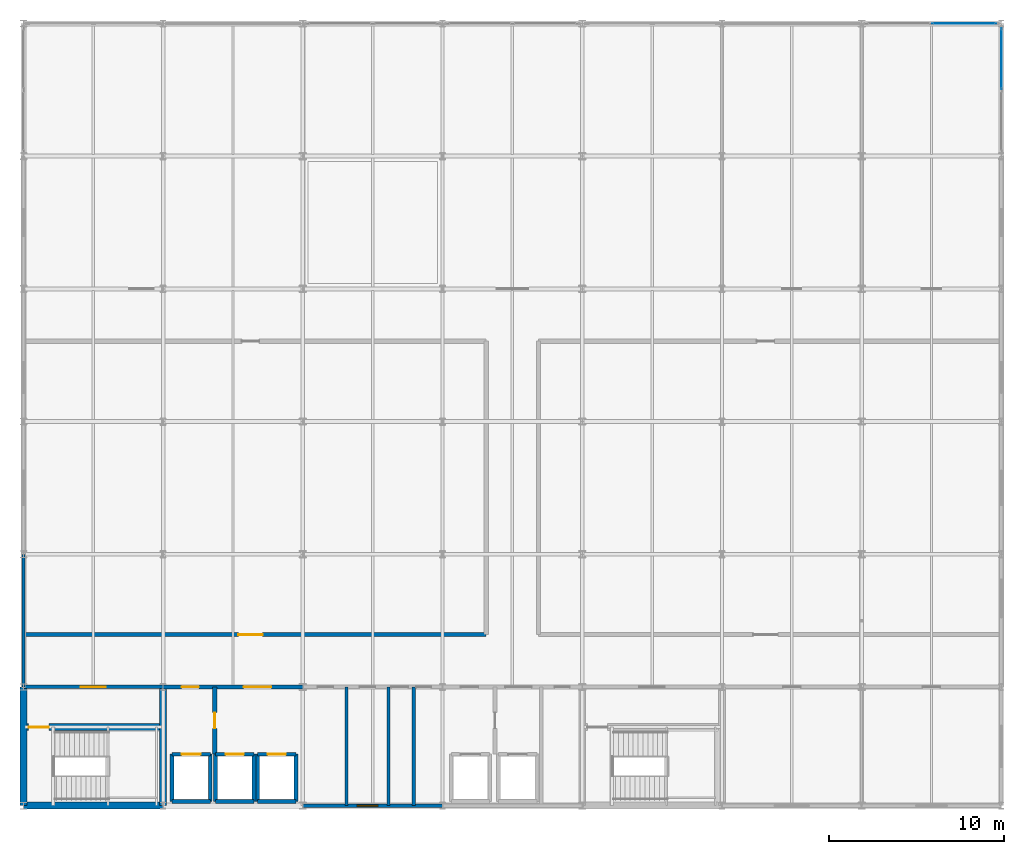
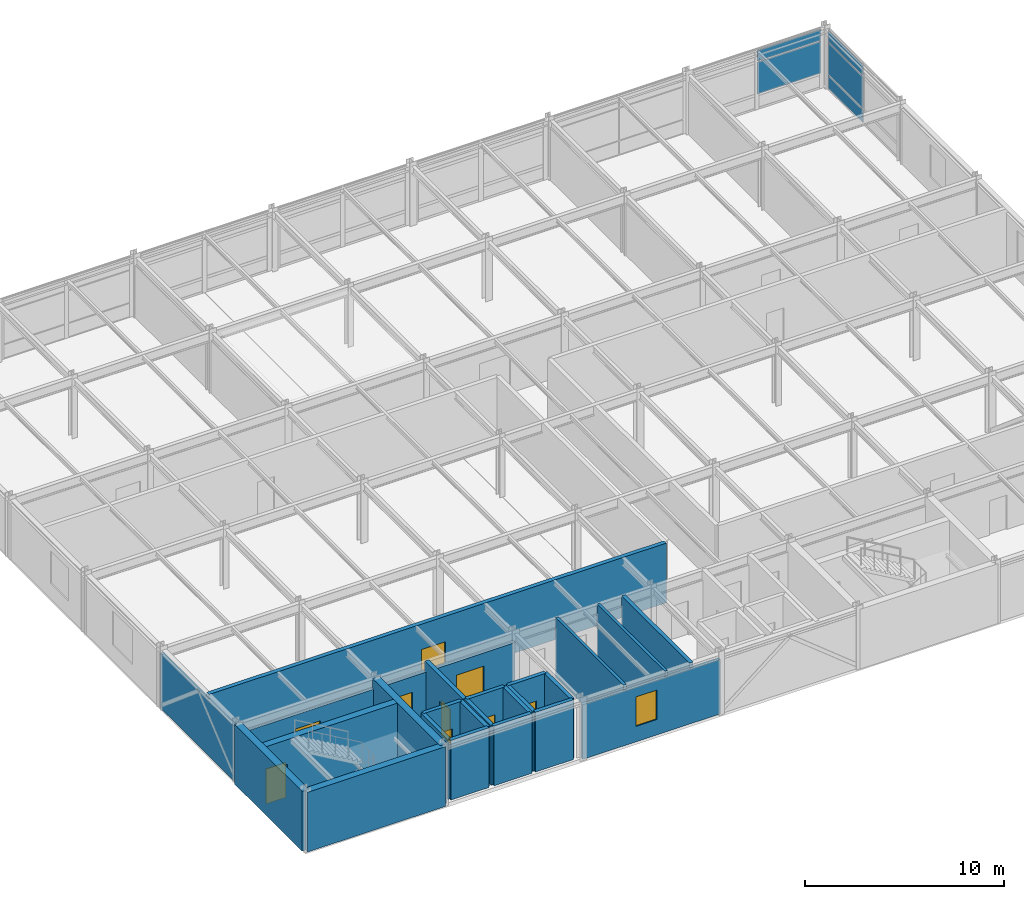
# One storey, part 11 of 14: 25 walls, 9 doors, 5 plates, 1 window, 10 openings, 2 elements without a shape of their own.
"""IFC4 building model written with IfcOpenShell, lengths in metres."""

from ifc_helpers import new_model, si_unit, direction, frame, frame_2d, origin, origin_2d, place, context, subcontext, project, spatial, rectangle, extrude, material, layer, layer_set, type_object, element, fill, aggregate, save


model = new_model("IFC4")

# Units and contexts
model_context = context("Model", 3, precision=1e-05, world=origin(), true_north=direction((0.0, 1.0)))
body_context = subcontext(model_context, "Body", "Model", "MODEL_VIEW")
ifc_project = project(units=[si_unit("LENGTHUNIT", "METRE"), si_unit("AREAUNIT", "SQUARE_METRE"), si_unit("VOLUMEUNIT", "CUBIC_METRE"), si_unit("PLANEANGLEUNIT", "RADIAN"), si_unit("MASSUNIT", "GRAM", prefix="KILO")], contexts=[model_context])

# Site, building, storey
site_placement = place(None, origin())
site = spatial("IfcSite", under=ifc_project, at=site_placement, CompositionType="ELEMENT")
building_placement = place(site_placement, origin())
building = spatial("IfcBuilding", under=site, at=building_placement, Name="Shalkamar Park Central Library", CompositionType="ELEMENT")
storey_placement = place(building_placement, frame((0.0, 0.0, 28.199951171875)))
storey = spatial("IfcBuildingStorey", under=building, at=storey_placement, Name="L07", CompositionType="ELEMENT", Elevation=28.199951171875)

# Curtain wall, plates
ifc_material_1 = material(Name="Thermally broken aluminium and triple low-e curtain wall", Category="aluminium")
ifc_layer_1 = layer(ifc_material_1, 0.260009765625)
ifc_layer_set_1 = layer_set([ifc_layer_1], Name="UnitisedCurtainWall_72")
curtain_wall_type_1 = type_object("IfcCurtainWallType", Name="Unitised Curtain Wall 72", PredefinedType="USERDEFINED", material=ifc_layer_set_1)
curtain_wall_1_placement = place(storey_placement, origin())
curtain_wall_1 = element("IfcCurtainWall", 1, at=curtain_wall_1_placement, inside=storey, type_object=curtain_wall_type_1, Name="Unitised Curtain Wall CW-L07-102", ObjectType="UNITISED CURTAIN WALL", PredefinedType="USERDEFINED")
ifc_material_2 = material(Name="Triple-glazed solar-control glass", Category="glass")
ifc_layer_2 = layer(ifc_material_2, 0.031982421875)
ifc_layer_set_2 = layer_set([ifc_layer_2], Name="SolarControlVisionPanel_32")
plate_type = type_object("IfcPlateType", Name="Solar Control Vision Panel 32", PredefinedType="CURTAIN_PANEL", material=ifc_layer_set_2)
plate_1_placement = place(storey_placement, frame((218.880859375, 293.199951171875, 0.93017578125), z_axis=(0.0, 0.0, 1.0), x_axis=(1.0, 0.0, 0.0)))
plate_1 = element("IfcPlate", 2, at=plate_1_placement, type_object=plate_type, Name="CW-72 panel 2.2", PredefinedType="CURTAIN_PANEL", context=body_context, shape_type="SweptSolid", body=[
    extrude(rectangle(XDim=3.685302734375, YDim=0.031982421875, at=origin_2d()), origin(), (0.0, 0.0, 1.0), 1.949951171875),
])
plate_2_placement = place(storey_placement, frame((218.880859375, 293.199951171875, 2.93994140625), z_axis=(0.0, 0.0, 1.0), x_axis=(1.0, 0.0, 0.0)))
plate_2 = element("IfcPlate", 3, at=plate_2_placement, type_object=plate_type, Name="CW-72 panel 2.3", PredefinedType="CURTAIN_PANEL", context=body_context, shape_type="SweptSolid", body=[
    extrude(rectangle(XDim=3.685302734375, YDim=0.031982421875, at=origin_2d()), origin(), (0.0, 0.0, 1.0), 0.659912109375),
])
aggregate(curtain_wall_1, [plate_1, plate_2])

ifc_layer_3 = layer(ifc_material_1, 0.27001953125)
ifc_layer_set_3 = layer_set([ifc_layer_3], Name="UnitisedCurtainWall_74")
curtain_wall_type_2 = type_object("IfcCurtainWallType", Name="Unitised Curtain Wall 74", PredefinedType="USERDEFINED", material=ifc_layer_set_3)
curtain_wall_2_placement = place(storey_placement, origin())
curtain_wall_2 = element("IfcCurtainWall", 4, at=curtain_wall_2_placement, inside=storey, type_object=curtain_wall_type_2, Name="Unitised Curtain Wall CW-L07-104", ObjectType="UNITISED CURTAIN WALL", PredefinedType="USERDEFINED")
plate_3_placement = place(storey_placement, frame((221.0, 291.17919921875, 0.06494140625), z_axis=(0.0, 0.0, 1.0), x_axis=(0.0, 1.0, 0.0)))
plate_3 = element("IfcPlate", 5, at=plate_3_placement, type_object=plate_type, Name="CW-74 panel 2.1", PredefinedType="CURTAIN_PANEL", context=body_context, shape_type="SweptSolid", body=[
    extrude(rectangle(XDim=3.478515625, YDim=0.031982421875, at=origin_2d()), origin(), (0.0, 0.0, 1.0), 0.802490234375),
])
plate_4_placement = place(storey_placement, frame((221.0, 291.17919921875, 0.9326171875), z_axis=(0.0, 0.0, 1.0), x_axis=(0.0, 1.0, 0.0)))
plate_4 = element("IfcPlate", 6, at=plate_4_placement, type_object=plate_type, Name="CW-74 panel 2.2", PredefinedType="CURTAIN_PANEL", context=body_context, shape_type="SweptSolid", body=[
    extrude(rectangle(XDim=3.478515625, YDim=0.031982421875, at=origin_2d()), origin(), (0.0, 0.0, 1.0), 1.945068359375),
])
plate_5_placement = place(storey_placement, frame((221.0, 291.17919921875, 2.9423828125), z_axis=(0.0, 0.0, 1.0), x_axis=(0.0, 1.0, 0.0)))
plate_5 = element("IfcPlate", 7, at=plate_5_placement, type_object=plate_type, Name="CW-74 panel 2.3", PredefinedType="CURTAIN_PANEL", context=body_context, shape_type="SweptSolid", body=[
    extrude(rectangle(XDim=3.478515625, YDim=0.031982421875, at=origin_2d()), origin(), (0.0, 0.0, 1.0), 0.652587890625),
])
aggregate(curtain_wall_2, [plate_3, plate_4, plate_5])

# Wall, opening, door
ifc_material_3 = material(Name="Reinforced fire-compartment masonry wall", Category="masonry")
ifc_layer_4 = layer(ifc_material_3, 0.239990234375)
ifc_layer_set_4 = layer_set([ifc_layer_4], Name="CompartmentWall_240")
wall_type_1 = type_object("IfcWallType", Name="Compartment Wall 240", PredefinedType="PARTITIONING", material=ifc_layer_set_4)
wall_1_placement = place(storey_placement, frame((175.949951171875, 251.35009765625, 0.0), z_axis=(0.0, 0.0, 1.0), x_axis=(0.0, 1.0, 0.0)))
wall_1 = element("IfcWall", 8, at=wall_1_placement, inside=storey, type_object=wall_type_1, Name="Interior Partition WL-INT-L07-001", PredefinedType="PARTITIONING", context=body_context, shape_type="SweptSolid", body=[
    extrude(rectangle(XDim=3.849853515625, YDim=0.239990234375, at=frame_2d((1.9248046875, 0.0))), origin(), (0.0, 0.0, 1.0), 3.66015625),
])
opening_1_placement = place(wall_1_placement, frame((1.47509765625, 0.0, 0.0)))
opening_1 = element("IfcOpeningElement", 9, at=opening_1_placement, cuts=wall_1, Name="Opening DR-L07-001", PredefinedType="OPENING", context=body_context, shape_type="SweptSolid", body=[
    extrude(rectangle(XDim=0.89990234375, YDim=2.10009765625, at=frame_2d((0.449951171875, 1.050048828125))), frame((0.0, 0.134765625, 0.0), z_axis=(0.0, -1.0, 0.0), x_axis=(1.0, 0.0, 0.0)), (0.0, 0.0, 1.0), 0.269775390625),
])
ifc_material_4 = material(Name="Steel S355", Category="steel")
door_type_1 = type_object("IfcDoorType", Name="Fire Door Single 900x2100", OperationType="NOTDEFINED", PredefinedType="DOOR", material=ifc_material_4)
door_1_placement = place(opening_1_placement, origin())
door_1 = element("IfcDoor", 10, at=door_1_placement, inside=storey, type_object=door_type_1, Name="Fire Lobby Interconnect Door", OperationType="SINGLE_SWING_LEFT", OverallHeight=2.10009765625, OverallWidth=0.89990234375, PredefinedType="DOOR", context=body_context, shape_type="SweptSolid", body=[
    extrude(rectangle(XDim=0.89990234375, YDim=2.10009765625, at=frame_2d((0.449951171875, 1.050048828125))), frame((0.0, 0.02490234375, 0.0), z_axis=(0.0, -1.0, 0.0), x_axis=(1.0, 0.0, 0.0)), (0.0, 0.0, 1.0), 0.050048828125),
])
fill(opening_1, door_1)

# Wall, openings, doors
wall_2_placement = place(storey_placement, frame((173.0, 255.199951171875, 0.0), z_axis=(0.0, 0.0, 1.0), x_axis=(1.0, 0.0, 0.0)))
wall_2 = element("IfcWall", 11, at=wall_2_placement, inside=storey, type_object=wall_type_1, Name="Interior Partition WL-INT-L07-007", PredefinedType="PARTITIONING", context=body_context, shape_type="SweptSolid", body=[
    extrude(rectangle(XDim=8.0, YDim=0.239990234375, at=frame_2d((4.0, 0.0))), origin(), (0.0, 0.0, 1.0), 3.05810546875),
])
opening_2_placement = place(wall_2_placement, frame((1.050048828125, 0.0, 0.0)))
opening_2 = element("IfcOpeningElement", 12, at=opening_2_placement, cuts=wall_2, Name="Opening DR-L07-003", PredefinedType="OPENING", context=body_context, shape_type="SweptSolid", body=[
    extrude(rectangle(XDim=1.0, YDim=2.10009765625, at=frame_2d((0.5, 1.050048828125))), frame((0.0, 0.134765625, 0.0), z_axis=(0.0, -1.0, 0.0), x_axis=(1.0, 0.0, 0.0)), (0.0, 0.0, 1.0), 0.269775390625),
])
opening_3_placement = place(wall_2_placement, frame((4.60009765625, 0.0, 0.0)))
opening_3 = element("IfcOpeningElement", 13, at=opening_3_placement, cuts=wall_2, Name="Opening DR-L07-004", PredefinedType="OPENING", context=body_context, shape_type="SweptSolid", body=[
    extrude(rectangle(XDim=1.60009765625, YDim=2.25, at=frame_2d((0.800048828125, 1.125))), frame((0.0, 0.134765625, 0.0), z_axis=(0.0, -1.0, 0.0), x_axis=(1.0, 0.0, 0.0)), (0.0, 0.0, 1.0), 0.269775390625),
])
door_type_2 = type_object("IfcDoorType", Name="Fire Door Single 1000x2100", OperationType="NOTDEFINED", PredefinedType="DOOR", material=ifc_material_4)
door_2_placement = place(opening_2_placement, origin())
door_2 = element("IfcDoor", 14, at=door_2_placement, inside=storey, type_object=door_type_2, Name="West Firefighting Lobby Door", OperationType="SINGLE_SWING_LEFT", OverallHeight=2.10009765625, OverallWidth=1.0, PredefinedType="DOOR", context=body_context, shape_type="SweptSolid", body=[
    extrude(rectangle(XDim=1.0, YDim=2.10009765625, at=frame_2d((0.5, 1.050048828125))), frame((0.0, 0.02490234375, 0.0), z_axis=(0.0, -1.0, 0.0), x_axis=(1.0, 0.0, 0.0)), (0.0, 0.0, 1.0), 0.050048828125),
])
fill(opening_2, door_2)
door_type_3 = type_object("IfcDoorType", Name="Interior Door Double 1600x2250", OperationType="DOUBLE_DOOR_SINGLE_SWING", PredefinedType="DOOR", material=ifc_material_4)
door_3_placement = place(opening_3_placement, frame((1.60009765625, 0.0, 0.0), z_axis=(0.0, 0.0, 1.0), x_axis=(-1.0, 0.0, 0.0)))
door_3 = element("IfcDoor", 15, at=door_3_placement, inside=storey, type_object=door_type_3, Name="West Lift Lobby Entrance", OperationType="DOUBLE_DOOR_SINGLE_SWING", OverallHeight=2.25, OverallWidth=1.60009765625, PredefinedType="DOOR", context=body_context, shape_type="SweptSolid", body=[
    extrude(rectangle(XDim=1.60009765625, YDim=2.25, at=frame_2d((0.800048828125, 1.125))), frame((0.0, 0.02490234375, 0.0), z_axis=(0.0, -1.0, 0.0), x_axis=(1.0, 0.0, 0.0)), (0.0, 0.0, 1.0), 0.050048828125),
])
fill(opening_3, door_3)

# Wall, opening, door
wall_3_placement = place(storey_placement, frame((165.0, 258.199951171875, 0.0), z_axis=(0.0, 0.0, 1.0), x_axis=(1.0, 0.0, 0.0)))
wall_3 = element("IfcWall", 16, at=wall_3_placement, inside=storey, type_object=wall_type_1, Name="Interior Partition WL-INT-L07-012", PredefinedType="PARTITIONING", context=body_context, shape_type="SweptSolid", body=[
    extrude(rectangle(XDim=26.5, YDim=0.239990234375, at=frame_2d((13.25, 0.0))), origin(), (0.0, 0.0, 1.0), 3.66015625),
])
opening_4_placement = place(wall_3_placement, frame((12.300048828125, 0.0, 0.0)))
opening_4 = element("IfcOpeningElement", 17, at=opening_4_placement, cuts=wall_3, Name="Opening DR-L07-014", PredefinedType="OPENING", context=body_context, shape_type="SweptSolid", body=[
    extrude(rectangle(XDim=1.39990234375, YDim=2.10009765625, at=frame_2d((0.699951171875, 1.050048828125))), frame((0.0, 0.134765625, 0.0), z_axis=(0.0, -1.0, 0.0), x_axis=(1.0, 0.0, 0.0)), (0.0, 0.0, 1.0), 0.269775390625),
])
door_type_4 = type_object("IfcDoorType", Name="Fire Door Double 1400x2100", OperationType="DOUBLE_DOOR_SINGLE_SWING", PredefinedType="DOOR", material=ifc_material_4)
door_4_placement = place(opening_4_placement, origin())
door_4 = element("IfcDoor", 18, at=door_4_placement, inside=storey, type_object=door_type_4, Name="L07 SW Closed Stacks South Door", OperationType="DOUBLE_DOOR_SINGLE_SWING", OverallHeight=2.10009765625, OverallWidth=1.39990234375, PredefinedType="DOOR", context=body_context, shape_type="SweptSolid", body=[
    extrude(rectangle(XDim=1.39990234375, YDim=2.10009765625, at=frame_2d((0.699951171875, 1.050048828125))), frame((0.0, 0.02490234375, 0.0), z_axis=(0.0, -1.0, 0.0), x_axis=(1.0, 0.0, 0.0)), (0.0, 0.0, 1.0), 0.050048828125),
])
fill(opening_4, door_4)

ifc_material_5 = material(Name="Fire-rated corridor partition wall", Category="masonry")
ifc_layer_5 = layer(ifc_material_5, 0.199951171875)
ifc_layer_set_5 = layer_set([ifc_layer_5], Name="CorridorFireWall_200")
wall_type_2 = type_object("IfcWallType", Name="Corridor Fire Wall 200", PredefinedType="PARTITIONING", material=ifc_layer_set_5)
wall_4_placement = place(storey_placement, frame((165.0, 255.199951171875, 0.0), z_axis=(0.0, 0.0, 1.0), x_axis=(1.0, 0.0, 0.0)))
wall_4 = element("IfcWall", 19, at=wall_4_placement, inside=storey, type_object=wall_type_2, Name="CORE-T1 Vestibule North Wall (L07)", PredefinedType="PARTITIONING", context=body_context, shape_type="SweptSolid", body=[
    extrude(rectangle(XDim=8.0, YDim=0.199951171875, at=frame_2d((4.0, 0.0))), origin(), (0.0, 0.0, 1.0), 3.05810546875),
])
opening_5_placement = place(wall_4_placement, frame((3.27490234375, 0.0, 0.0)))
opening_5 = element("IfcOpeningElement", 20, at=opening_5_placement, cuts=wall_4, Name="Opening DR-ST-T1-L07-VEST", PredefinedType="OPENING", context=body_context, shape_type="SweptSolid", body=[
    extrude(rectangle(XDim=1.449951171875, YDim=2.199951171875, at=frame_2d((0.72509765625, 1.10009765625))), frame((0.0, 0.11474609375, 0.0), z_axis=(0.0, -1.0, 0.0), x_axis=(1.0, 0.0, 0.0)), (0.0, 0.0, 1.0), 0.229736328125),
])
door_type_5 = type_object("IfcDoorType", Name="Stair Vestibule Door 1450x2200", OperationType="DOUBLE_DOOR_SINGLE_SWING", PredefinedType="DOOR", material=ifc_material_4)
door_5_placement = place(opening_5_placement, frame((1.449951171875, 0.0, 0.0), z_axis=(0.0, 0.0, 1.0), x_axis=(-1.0, 0.0, 0.0)))
door_5 = element("IfcDoor", 21, at=door_5_placement, inside=storey, type_object=door_type_5, Name="Protected Stair ST-T1 Vestibule Door (L07)", OperationType="DOUBLE_DOOR_SINGLE_SWING", OverallHeight=2.199951171875, OverallWidth=1.449951171875, PredefinedType="DOOR", context=body_context, shape_type="SweptSolid", body=[
    extrude(rectangle(XDim=1.449951171875, YDim=2.199951171875, at=frame_2d((0.72509765625, 1.10009765625))), frame((0.0, 0.02490234375, 0.0), z_axis=(0.0, -1.0, 0.0), x_axis=(1.0, 0.0, 0.0)), (0.0, 0.0, 1.0), 0.050048828125),
])
fill(opening_5, door_5)

# Walls
ifc_material_6 = material(Name="Concrete C40/50", Category="concrete")
ifc_layer_6 = layer(ifc_material_6, 0.219970703125)
ifc_layer_set_6 = layer_set([ifc_layer_6], Name="Concrete C40/50")
wall_type_3 = type_object("IfcWallType", Name="Lift Hoistway Shear Wall 220", PredefinedType="SHEAR", material=ifc_layer_set_6)
wall_5_placement = place(storey_placement, frame((173.5, 248.64990234375, 0.0), z_axis=(0.0, 0.0, 1.0), x_axis=(1.0, 0.0, 0.0)))
element("IfcWall", 22, at=wall_5_placement, inside=storey, type_object=wall_type_3, Name="Lift FFL-01 Hoistway South Wall (L07)", PredefinedType="SHEAR", context=body_context, shape_type="SweptSolid", body=[
    extrude(rectangle(XDim=2.199951171875, YDim=0.219970703125, at=frame_2d((1.10009765625, 0.0))), origin(), (0.0, 0.0, 1.0), 3.66015625),
])
for number, where, z_axis, x_axis, name in (
    (23, (173.5, 248.64990234375, 0.0), (0.0, 0.0, 1.0), (0.0, 1.0, 0.0), "Lift FFL-01 Hoistway West Wall (L07)"),
    (24, (175.699951171875, 248.64990234375, 0.0), (0.0, 0.0, 1.0), (0.0, 1.0, 0.0), "Lift FFL-01 Hoistway East Wall (L07)"),
):
    element("IfcWall", number, at=place(storey_placement, frame(where, z_axis=z_axis, x_axis=x_axis)), inside=storey, type_object=wall_type_3, Name=name, PredefinedType="SHEAR", context=body_context, shape_type="SweptSolid", body=[
        extrude(rectangle(XDim=2.7001953125, YDim=0.219970703125, at=frame_2d((1.35009765625, 0.0))), origin(), (0.0, 0.0, 1.0), 3.66015625),
    ])

# Wall, opening, door
wall_6_placement = place(storey_placement, frame((173.5, 251.35009765625, 0.0), z_axis=(0.0, 0.0, 1.0), x_axis=(1.0, 0.0, 0.0)))
wall_6 = element("IfcWall", 25, at=wall_6_placement, inside=storey, type_object=wall_type_3, Name="Lift FFL-01 Hoistway Front Wall (L07)", PredefinedType="SHEAR", context=body_context, shape_type="SweptSolid", body=[
    extrude(rectangle(XDim=2.199951171875, YDim=0.219970703125, at=frame_2d((1.10009765625, 0.0))), origin(), (0.0, 0.0, 1.0), 3.66015625),
])
opening_6_placement = place(wall_6_placement, frame((0.550048828125, 0.0, 0.0)))
opening_6 = element("IfcOpeningElement", 26, at=opening_6_placement, cuts=wall_6, Name="Opening LD-FFL-01-L07", PredefinedType="OPENING", context=body_context, shape_type="SweptSolid", body=[
    extrude(rectangle(XDim=1.10009765625, YDim=2.14990234375, at=frame_2d((0.550048828125, 1.074951171875))), frame((0.0, 0.125, 0.0), z_axis=(0.0, -1.0, 0.0), x_axis=(1.0, 0.0, 0.0)), (0.0, 0.0, 1.0), 0.249755859375),
])
door_type_6 = type_object("IfcDoorType", Name="Fire Lift Landing Door 1100x2150", OperationType="DOUBLE_DOOR_SLIDING", PredefinedType="USERDEFINED", material=ifc_material_4)
door_6_placement = place(opening_6_placement, origin())
door_6 = element("IfcDoor", 27, at=door_6_placement, inside=storey, type_object=door_type_6, Name="Lift FFL-01 Sliding Landing Door (L07)", ObjectType="SLIDING LANDING DOOR", OperationType="DOUBLE_DOOR_SLIDING", OverallHeight=2.14990234375, OverallWidth=1.10009765625, PredefinedType="USERDEFINED", context=body_context, shape_type="SweptSolid", body=[
    extrude(rectangle(XDim=1.10009765625, YDim=2.14990234375, at=frame_2d((0.550048828125, 1.074951171875))), frame((0.0, 0.02490234375, 0.0), z_axis=(0.0, -1.0, 0.0), x_axis=(1.0, 0.0, 0.0)), (0.0, 0.0, 1.0), 0.050048828125),
])
fill(opening_6, door_6)

# Walls
wall_7_placement = place(storey_placement, frame((176.0, 248.64990234375, 0.0), z_axis=(0.0, 0.0, 1.0), x_axis=(1.0, 0.0, 0.0)))
element("IfcWall", 28, at=wall_7_placement, inside=storey, type_object=wall_type_3, Name="Lift LT-01 Hoistway South Wall (L07)", PredefinedType="SHEAR", context=body_context, shape_type="SweptSolid", body=[
    extrude(rectangle(XDim=2.199951171875, YDim=0.219970703125, at=frame_2d((1.10009765625, 0.0))), origin(), (0.0, 0.0, 1.0), 3.66015625),
])
for number, where, z_axis, x_axis, name in (
    (29, (176.0, 248.64990234375, 0.0), (0.0, 0.0, 1.0), (0.0, 1.0, 0.0), "Lift LT-01 Hoistway West Wall (L07)"),
    (30, (178.199951171875, 248.64990234375, 0.0), (0.0, 0.0, 1.0), (0.0, 1.0, 0.0), "Lift LT-01 Hoistway East Wall (L07)"),
):
    element("IfcWall", number, at=place(storey_placement, frame(where, z_axis=z_axis, x_axis=x_axis)), inside=storey, type_object=wall_type_3, Name=name, PredefinedType="SHEAR", context=body_context, shape_type="SweptSolid", body=[
        extrude(rectangle(XDim=2.7001953125, YDim=0.219970703125, at=frame_2d((1.35009765625, 0.0))), origin(), (0.0, 0.0, 1.0), 3.66015625),
    ])

# Wall, opening, door
wall_8_placement = place(storey_placement, frame((176.0, 251.35009765625, 0.0), z_axis=(0.0, 0.0, 1.0), x_axis=(1.0, 0.0, 0.0)))
wall_8 = element("IfcWall", 31, at=wall_8_placement, inside=storey, type_object=wall_type_3, Name="Lift LT-01 Hoistway Front Wall (L07)", PredefinedType="SHEAR", context=body_context, shape_type="SweptSolid", body=[
    extrude(rectangle(XDim=2.199951171875, YDim=0.219970703125, at=frame_2d((1.10009765625, 0.0))), origin(), (0.0, 0.0, 1.0), 3.66015625),
])
opening_7_placement = place(wall_8_placement, frame((0.574951171875, 0.0, 0.0)))
opening_7 = element("IfcOpeningElement", 32, at=opening_7_placement, cuts=wall_8, Name="Opening LD-LT-01-L07", PredefinedType="OPENING", context=body_context, shape_type="SweptSolid", body=[
    extrude(rectangle(XDim=1.050048828125, YDim=2.14990234375, at=frame_2d((0.52490234375, 1.074951171875))), frame((0.0, 0.125, 0.0), z_axis=(0.0, -1.0, 0.0), x_axis=(1.0, 0.0, 0.0)), (0.0, 0.0, 1.0), 0.249755859375),
])
door_type_7 = type_object("IfcDoorType", Name="Passenger Lift Landing Door 1050x2150", OperationType="DOUBLE_DOOR_SLIDING", PredefinedType="USERDEFINED", material=ifc_material_4)
door_7_placement = place(opening_7_placement, origin())
door_7 = element("IfcDoor", 33, at=door_7_placement, inside=storey, type_object=door_type_7, Name="Lift LT-01 Sliding Landing Door (L07)", ObjectType="SLIDING LANDING DOOR", OperationType="DOUBLE_DOOR_SLIDING", OverallHeight=2.14990234375, OverallWidth=1.050048828125, PredefinedType="USERDEFINED", context=body_context, shape_type="SweptSolid", body=[
    extrude(rectangle(XDim=1.050048828125, YDim=2.14990234375, at=frame_2d((0.52490234375, 1.074951171875))), frame((0.0, 0.02490234375, 0.0), z_axis=(0.0, -1.0, 0.0), x_axis=(1.0, 0.0, 0.0)), (0.0, 0.0, 1.0), 0.050048828125),
])
fill(opening_7, door_7)

# Walls
wall_9_placement = place(storey_placement, frame((178.39990234375, 248.64990234375, 0.0), z_axis=(0.0, 0.0, 1.0), x_axis=(1.0, 0.0, 0.0)))
element("IfcWall", 34, at=wall_9_placement, inside=storey, type_object=wall_type_3, Name="Lift LT-02 Hoistway South Wall (L07)", PredefinedType="SHEAR", context=body_context, shape_type="SweptSolid", body=[
    extrude(rectangle(XDim=2.2001953125, YDim=0.219970703125, at=frame_2d((1.10009765625, 0.0))), origin(), (0.0, 0.0, 1.0), 3.66015625),
])
for number, where, z_axis, x_axis, name in (
    (35, (178.39990234375, 248.64990234375, 0.0), (0.0, 0.0, 1.0), (0.0, 1.0, 0.0), "Lift LT-02 Hoistway West Wall (L07)"),
    (36, (180.60009765625, 248.64990234375, 0.0), (0.0, 0.0, 1.0), (0.0, 1.0, 0.0), "Lift LT-02 Hoistway East Wall (L07)"),
):
    element("IfcWall", number, at=place(storey_placement, frame(where, z_axis=z_axis, x_axis=x_axis)), inside=storey, type_object=wall_type_3, Name=name, PredefinedType="SHEAR", context=body_context, shape_type="SweptSolid", body=[
        extrude(rectangle(XDim=2.7001953125, YDim=0.219970703125, at=frame_2d((1.35009765625, 0.0))), origin(), (0.0, 0.0, 1.0), 3.66015625),
    ])

# Wall, opening, door
wall_10_placement = place(storey_placement, frame((178.39990234375, 251.35009765625, 0.0), z_axis=(0.0, 0.0, 1.0), x_axis=(1.0, 0.0, 0.0)))
wall_10 = element("IfcWall", 37, at=wall_10_placement, inside=storey, type_object=wall_type_3, Name="Lift LT-02 Hoistway Front Wall (L07)", PredefinedType="SHEAR", context=body_context, shape_type="SweptSolid", body=[
    extrude(rectangle(XDim=2.2001953125, YDim=0.219970703125, at=frame_2d((1.10009765625, 0.0))), origin(), (0.0, 0.0, 1.0), 3.66015625),
])
opening_8_placement = place(wall_10_placement, frame((0.574951171875, 0.0, 0.0)))
opening_8 = element("IfcOpeningElement", 38, at=opening_8_placement, cuts=wall_10, Name="Opening LD-LT-02-L07", PredefinedType="OPENING", context=body_context, shape_type="SweptSolid", body=[
    extrude(rectangle(XDim=1.050048828125, YDim=2.14990234375, at=frame_2d((0.52490234375, 1.074951171875))), frame((0.0, 0.125, 0.0), z_axis=(0.0, -1.0, 0.0), x_axis=(1.0, 0.0, 0.0)), (0.0, 0.0, 1.0), 0.249755859375),
])
door_8_placement = place(opening_8_placement, origin())
door_8 = element("IfcDoor", 39, at=door_8_placement, inside=storey, type_object=door_type_7, Name="Lift LT-02 Sliding Landing Door (L07)", ObjectType="SLIDING LANDING DOOR", OperationType="DOUBLE_DOOR_SLIDING", OverallHeight=2.14990234375, OverallWidth=1.050048828125, PredefinedType="USERDEFINED", context=body_context, shape_type="SweptSolid", body=[
    extrude(rectangle(XDim=1.050048828125, YDim=2.14990234375, at=frame_2d((0.52490234375, 1.074951171875))), frame((0.0, 0.02490234375, 0.0), z_axis=(0.0, -1.0, 0.0), x_axis=(1.0, 0.0, 0.0)), (0.0, 0.0, 1.0), 0.050048828125),
])
fill(opening_8, door_8)

# Walls
ifc_material_7 = material(Name="Moisture-resistant sanitary partition", Category="masonry")
ifc_layer_7 = layer(ifc_material_7, 0.159912109375)
ifc_layer_set_7 = layer_set([ifc_layer_7], Name="PlumbingChaseWall_160")
wall_type_4 = type_object("IfcWallType", Name="Plumbing Chase Wall 160", PredefinedType="PARTITIONING", material=ifc_layer_set_7)
for number, where, z_axis, x_axis, name in (
    (40, (183.5, 248.39990234375, 0.0), (0.0, 0.0, 1.0), (0.0, 1.0, 0.0), "Interior Partition WL-INT-L07-004"),
    (41, (185.89990234375, 248.39990234375, 0.0), (0.0, 0.0, 1.0), (0.0, 1.0, 0.0), "Interior Partition WL-INT-L07-005"),
):
    element("IfcWall", number, at=place(storey_placement, frame(where, z_axis=z_axis, x_axis=x_axis)), inside=storey, type_object=wall_type_4, Name=name, PredefinedType="PARTITIONING", context=body_context, shape_type="SweptSolid", body=[
        extrude(rectangle(XDim=6.800048828125, YDim=0.159912109375, at=frame_2d((3.39990234375, 0.0))), origin(), (0.0, 0.0, 1.0), 3.66015625),
    ])
ifc_material_8 = material(Name="Fire-rated shaft enclosure wall", Category="masonry")
ifc_layer_8 = layer(ifc_material_8, 0.219970703125)
ifc_layer_set_8 = layer_set([ifc_layer_8], Name="ShaftWall_220")
wall_type_5 = type_object("IfcWallType", Name="Shaft Wall 220", PredefinedType="PARTITIONING", material=ifc_layer_set_8)
wall_11_placement = place(storey_placement, frame((187.35009765625, 248.39990234375, 0.0), z_axis=(0.0, 0.0, 1.0), x_axis=(0.0, 1.0, 0.0)))
element("IfcWall", 42, at=wall_11_placement, inside=storey, type_object=wall_type_5, Name="Interior Partition WL-INT-L07-006", PredefinedType="PARTITIONING", context=body_context, shape_type="SweptSolid", body=[
    extrude(rectangle(XDim=6.800048828125, YDim=0.219970703125, at=frame_2d((3.39990234375, 0.0))), origin(), (0.0, 0.0, 1.0), 3.66015625),
])
ifc_layer_9 = layer(ifc_material_6, 0.39990234375)
ifc_layer_set_9 = layer_set([ifc_layer_9], Name="Concrete C40/50")
wall_type_6 = type_object("IfcWallType", Name="Tower Core Shear Wall 400", PredefinedType="SHEAR", material=ifc_layer_set_9)
wall_12_placement = place(storey_placement, frame((165.0, 248.39990234375, 0.0), z_axis=(0.0, 0.0, 1.0), x_axis=(1.0, 0.0, 0.0)))
element("IfcWall", 43, at=wall_12_placement, inside=storey, type_object=wall_type_6, Name="CORE-T1 South Shear Wall (L07)", PredefinedType="SHEAR", context=body_context, shape_type="SweptSolid", body=[
    extrude(rectangle(XDim=8.0, YDim=0.39990234375, at=frame_2d((4.0, 0.0))), origin(), (0.0, 0.0, 1.0), 3.66015625),
])
for number, where, z_axis, x_axis, name in (
    (44, (165.0, 248.39990234375, 0.0), (0.0, 0.0, 1.0), (0.0, 1.0, 0.0), "CORE-T1 West Shear Wall (L07)"),
    (45, (173.0, 248.39990234375, 0.0), (0.0, 0.0, 1.0), (0.0, 1.0, 0.0), "CORE-T1 East Shear Wall (L07)"),
):
    element("IfcWall", number, at=place(storey_placement, frame(where, z_axis=z_axis, x_axis=x_axis)), inside=storey, type_object=wall_type_6, Name=name, PredefinedType="SHEAR", context=body_context, shape_type="SweptSolid", body=[
        extrude(rectangle(XDim=6.800048828125, YDim=0.39990234375, at=frame_2d((3.39990234375, 0.0))), origin(), (0.0, 0.0, 1.0), 3.66015625),
    ])

# Wall, opening, door
wall_13_placement = place(storey_placement, frame((165.0, 252.89990234375, 0.0), z_axis=(0.0, 0.0, 1.0), x_axis=(1.0, 0.0, 0.0)))
wall_13 = element("IfcWall", 46, at=wall_13_placement, inside=storey, type_object=wall_type_6, Name="CORE-T1 Stairwell Wall (L07)", PredefinedType="SHEAR", context=body_context, shape_type="SweptSolid", body=[
    extrude(rectangle(XDim=8.0, YDim=0.39990234375, at=frame_2d((4.0, 0.0))), origin(), (0.0, 0.0, 1.0), 3.66015625),
])
opening_9_placement = place(wall_13_placement, frame((0.300048828125, 0.0, 0.0)))
opening_9 = element("IfcOpeningElement", 47, at=opening_9_placement, cuts=wall_13, Name="Opening DR-ST-T1-L07-IN", PredefinedType="OPENING", context=body_context, shape_type="SweptSolid", body=[
    extrude(rectangle(XDim=1.14990234375, YDim=2.14990234375, at=frame_2d((0.574951171875, 1.074951171875))), frame((0.0, 0.21484375, 0.0), z_axis=(0.0, -1.0, 0.0), x_axis=(1.0, 0.0, 0.0)), (0.0, 0.0, 1.0), 0.4296875),
])
door_type_8 = type_object("IfcDoorType", Name="Stair Core Exit Door 1150x2150", OperationType="NOTDEFINED", PredefinedType="DOOR", material=ifc_material_4)
door_9_placement = place(opening_9_placement, frame((1.14990234375, 0.0, 0.0), z_axis=(0.0, 0.0, 1.0), x_axis=(-1.0, 0.0, 0.0)))
door_9 = element("IfcDoor", 48, at=door_9_placement, inside=storey, type_object=door_type_8, Name="Protected Stair ST-T1 Exit Door (L07)", OperationType="SINGLE_SWING_RIGHT", OverallHeight=2.14990234375, OverallWidth=1.14990234375, PredefinedType="DOOR", context=body_context, shape_type="SweptSolid", body=[
    extrude(rectangle(XDim=1.14990234375, YDim=2.14990234375, at=frame_2d((0.574951171875, 1.074951171875))), frame((0.0, 0.02490234375, 0.0), z_axis=(0.0, -1.0, 0.0), x_axis=(1.0, 0.0, 0.0)), (0.0, 0.0, 1.0), 0.050048828125),
])
fill(opening_9, door_9)

# Wall, opening, window
ifc_material_9 = material(Name="Terracotta insulated wall panel", Category="masonry")
ifc_layer_10 = layer(ifc_material_9, 0.179931640625)
ifc_layer_set_10 = layer_set([ifc_layer_10], Name="TowerSpandrelWall_180")
wall_type_7 = type_object("IfcWallType", Name="Tower Spandrel Wall 180", PredefinedType="SOLIDWALL", material=ifc_layer_set_10)
wall_14_placement = place(storey_placement, frame((181.006103515625, 248.39990234375, 0.0), z_axis=(0.0, 0.0, 1.0), x_axis=(1.0, 0.0, 0.0)))
wall_14 = element("IfcWall", 49, at=wall_14_placement, inside=storey, type_object=wall_type_7, Name="Exterior Facade Wall WL-EXT-L07-158", PredefinedType="SOLIDWALL", context=body_context, shape_type="SweptSolid", body=[
    extrude(rectangle(XDim=7.98779296875, YDim=0.179931640625, at=frame_2d((3.993896484375, 0.0))), origin(), (0.0, 0.0, 1.0), 3.34814453125),
])
opening_10_placement = place(wall_14_placement, frame((3.093994140625, 0.0, 0.949951171875)))
opening_10 = element("IfcOpeningElement", 50, at=opening_10_placement, cuts=wall_14, Name="Opening WN-16", PredefinedType="OPENING", context=body_context, shape_type="SweptSolid", body=[
    extrude(rectangle(XDim=1.199951171875, YDim=1.800048828125, at=frame_2d((0.60009765625, 0.89990234375))), frame((0.0, 0.10498046875, 0.0), z_axis=(0.0, -1.0, 0.0), x_axis=(1.0, 0.0, 0.0)), (0.0, 0.0, 1.0), 0.209716796875),
])
ifc_material_10 = material(Name="Thermally broken aluminium and triple low-e glass", Category="glass")
window_type = type_object("IfcWindowType", Name="Tower Window 1200x1800", PartitioningType="SINGLE_PANEL", PredefinedType="WINDOW", material=ifc_material_10)
window_placement = place(opening_10_placement, origin())
window = element("IfcWindow", 51, at=window_placement, inside=storey, type_object=window_type, Name="Facade Window WN-L07-109", OverallHeight=1.800048828125, OverallWidth=1.199951171875, PartitioningType="SINGLE_PANEL", PredefinedType="WINDOW", context=body_context, shape_type="SweptSolid", body=[
    extrude(rectangle(XDim=1.199951171875, YDim=1.800048828125, at=frame_2d((0.60009765625, 0.89990234375))), frame((0.0, 0.030029296875, 0.0), z_axis=(0.0, -1.0, 0.0), x_axis=(1.0, 0.0, 0.0)), (0.0, 0.0, 1.0), 0.06005859375),
])
fill(opening_10, window)

# Wall
wall_15_placement = place(storey_placement, frame((165.0, 255.2060546875, 0.0), z_axis=(0.0, 0.0, 1.0), x_axis=(0.0, 1.0, 0.0)))
element("IfcWall", 52, at=wall_15_placement, inside=storey, type_object=wall_type_7, Name="Exterior Facade Wall WL-EXT-L07-162", PredefinedType="SOLIDWALL", context=body_context, shape_type="SweptSolid", body=[
    extrude(rectangle(XDim=7.587890625, YDim=0.179931640625, at=frame_2d((3.7939453125, 0.0))), origin(), (0.0, 0.0, 1.0), 3.387939453125),
])

save(model, "model.ifc")
